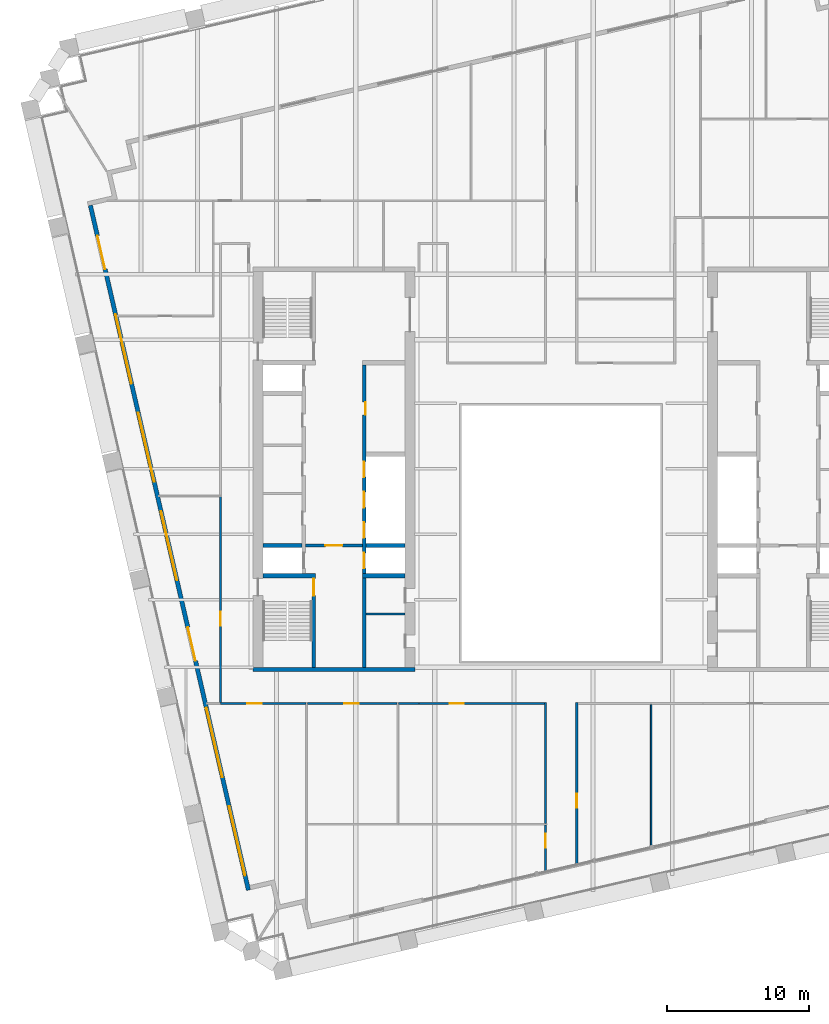
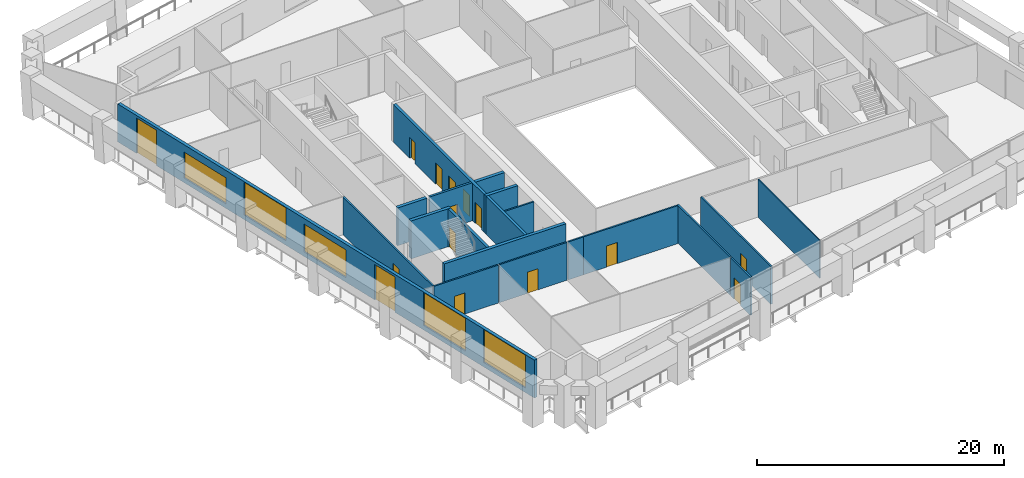
# One storey, part 7 of 14: 19 walls, 15 doors, 5 windows, 20 openings.
"""IFC4 building model written with IfcOpenShell, lengths in metres."""

from ifc_helpers import new_model, si_unit, direction, frame, frame_2d, origin, place, context, subcontext, project, spatial, rectangle, extrude, material, layer, layer_set, type_object, element, fill, save


model = new_model("IFC4")

# Units and contexts
model_context = context("Model", 3, precision=1e-05, world=origin(), true_north=direction((0.0, 1.0)))
body_context = subcontext(model_context, "Body", "Model", "MODEL_VIEW")
ifc_project = project(units=[si_unit("LENGTHUNIT", "METRE"), si_unit("AREAUNIT", "SQUARE_METRE"), si_unit("VOLUMEUNIT", "CUBIC_METRE"), si_unit("PLANEANGLEUNIT", "RADIAN"), si_unit("MASSUNIT", "GRAM", prefix="KILO")], contexts=[model_context])

# Site, building, storey
site_placement = place(None, origin())
site = spatial("IfcSite", under=ifc_project, at=site_placement, CompositionType="ELEMENT")
building_placement = place(site_placement, origin())
building = spatial("IfcBuilding", under=site, at=building_placement, Name="Ogive Exchange Tower", CompositionType="ELEMENT")
storey_placement = place(building_placement, frame((0.0, 0.0, 222.0)))
storey = spatial("IfcBuildingStorey", under=building, at=storey_placement, Name="L49", CompositionType="ELEMENT", Elevation=222.0)

# Wall
ifc_material_1 = material(Name="Gypsum board partition")
ifc_layer_1 = layer(ifc_material_1, 0.14990234375)
ifc_layer_set_1 = layer_set([ifc_layer_1], Name="Core room partition 150 gypsum")
wall_type_1 = type_object("IfcWallType", Name="Core room partition 150 gypsum", PredefinedType="PARTITIONING", material=ifc_layer_set_1)
wall_1_placement = place(storey_placement, frame((-13.75, 1.300048828125, 0.0), z_axis=(0.0, 0.0, 1.0), x_axis=(1.0, 0.0, 0.0)))
element("IfcWall", 1, at=wall_1_placement, inside=storey, type_object=wall_type_1, Name="W south room partition", PredefinedType="PARTITIONING", context=body_context, shape_type="SweptSolid", body=[
    extrude(rectangle(XDim=2.75, YDim=0.14990234375, at=frame_2d((1.375, 0.0))), origin(), (0.0, 0.0, 1.0), 3.75),
])

# Wall, opening, door
ifc_material_2 = material(Name="Fire partition EI 60 150")
ifc_layer_2 = layer(ifc_material_2, 0.14990234375)
ifc_layer_set_2 = layer_set([ifc_layer_2], Name="Fire partition EI 60 150")
wall_type_2 = type_object("IfcWallType", Name="Fire partition EI 60 150", PredefinedType="PARTITIONING", material=ifc_layer_set_2)
wall_2_placement = place(storey_placement, frame((-24.0, -4.93994140625, 0.0), z_axis=(0.0, 0.0, 1.0), x_axis=(0.0, 1.0, 0.0)))
wall_2 = element("IfcWall", 2, at=wall_2_placement, inside=storey, type_object=wall_type_2, Name="L49-PWL-007", PredefinedType="PARTITIONING", context=body_context, shape_type="SweptSolid", body=[
    extrude(rectangle(XDim=14.510009765625, YDim=0.14990234375, at=frame_2d((7.2548828125, 0.0))), origin(), (0.0, 0.0, 1.0), 3.75),
])
opening_1_placement = place(wall_2_placement, frame((5.409912109375, 0.0, 0.0)))
opening_1 = element("IfcOpeningElement", 3, at=opening_1_placement, cuts=wall_2, Name="Opening L49-I04", PredefinedType="OPENING", context=body_context, shape_type="SweptSolid", body=[
    extrude(rectangle(XDim=1.0, YDim=2.10009765625, at=frame_2d((0.5, 1.050048828125))), frame((0.0, 0.0849609375, 0.0), z_axis=(0.0, -1.0, 0.0), x_axis=(1.0, 0.0, 0.0)), (0.0, 0.0, 1.0), 0.169921875),
])
ifc_material_3 = material(Name="Fire door FD 30S 1000 x 2100")
door_type_1 = type_object("IfcDoorType", Name="Fire door FD 30S 1000 x 2100", OperationType="NOTDEFINED", PredefinedType="DOOR", material=ifc_material_3)
door_1_placement = place(opening_1_placement, origin())
door_1 = element("IfcDoor", 4, at=door_1_placement, inside=storey, type_object=door_type_1, Name="L49-IDR-004", ObjectType="DT3", OperationType="SINGLE_SWING_LEFT", OverallHeight=2.10009765625, OverallWidth=1.0, PredefinedType="DOOR", context=body_context, shape_type="SweptSolid", body=[
    extrude(rectangle(XDim=1.0, YDim=2.10009765625, at=frame_2d((0.5, 1.050048828125))), frame((0.0, 0.02490234375, 0.0), z_axis=(0.0, -1.0, 0.0), x_axis=(1.0, 0.0, 0.0)), (0.0, 0.0, 1.0), 0.050048828125),
])
fill(opening_1, door_1)

wall_3_placement = place(storey_placement, frame((-17.969970703125, -5.0, 0.0), z_axis=(0.0, 0.0, 1.0), x_axis=(-1.0, 0.0, 0.0)))
wall_3 = element("IfcWall", 5, at=wall_3_placement, inside=storey, type_object=wall_type_2, Name="L49-PWL-017", PredefinedType="PARTITIONING", context=body_context, shape_type="SweptSolid", body=[
    extrude(rectangle(XDim=6.030029296875, YDim=0.14990234375, at=frame_2d((3.01513671875, 0.0))), origin(), (0.0, 0.0, 1.0), 3.75),
])
opening_2_placement = place(wall_3_placement, frame((3.1298828125, 0.0, 0.0)))
opening_2 = element("IfcOpeningElement", 6, at=opening_2_placement, cuts=wall_3, Name="Opening L49-I12", PredefinedType="OPENING", context=body_context, shape_type="SweptSolid", body=[
    extrude(rectangle(XDim=1.0, YDim=2.10009765625, at=frame_2d((0.5, 1.050048828125))), frame((0.0, 0.0849609375, 0.0), z_axis=(0.0, -1.0, 0.0), x_axis=(1.0, 0.0, 0.0)), (0.0, 0.0, 1.0), 0.169921875),
])
door_2_placement = place(opening_2_placement, origin())
door_2 = element("IfcDoor", 7, at=door_2_placement, inside=storey, type_object=door_type_1, Name="L49-IDR-012", ObjectType="DT3", OperationType="SINGLE_SWING_LEFT", OverallHeight=2.10009765625, OverallWidth=1.0, PredefinedType="DOOR", context=body_context, shape_type="SweptSolid", body=[
    extrude(rectangle(XDim=1.0, YDim=2.10009765625, at=frame_2d((0.5, 1.050048828125))), frame((0.0, 0.02490234375, 0.0), z_axis=(0.0, -1.0, 0.0), x_axis=(1.0, 0.0, 0.0)), (0.0, 0.0, 1.0), 0.050048828125),
])
fill(opening_2, door_2)

wall_4_placement = place(storey_placement, frame((-11.550048828125, -5.0, 0.0), z_axis=(0.0, 0.0, 1.0), x_axis=(-1.0, 0.0, 0.0)))
wall_4 = element("IfcWall", 8, at=wall_4_placement, inside=storey, type_object=wall_type_2, Name="L49-PWL-022", PredefinedType="PARTITIONING", context=body_context, shape_type="SweptSolid", body=[
    extrude(rectangle(XDim=6.320068359375, YDim=0.14990234375, at=frame_2d((3.16015625, 0.0))), origin(), (0.0, 0.0, 1.0), 3.75),
])
opening_3_placement = place(wall_4_placement, frame((2.719970703125, 0.0, 0.0)))
opening_3 = element("IfcOpeningElement", 9, at=opening_3_placement, cuts=wall_4, Name="Opening L49-I11", PredefinedType="OPENING", context=body_context, shape_type="SweptSolid", body=[
    extrude(rectangle(XDim=1.0, YDim=2.10009765625, at=frame_2d((0.5, 1.050048828125))), frame((0.0, 0.0849609375, 0.0), z_axis=(0.0, -1.0, 0.0), x_axis=(1.0, 0.0, 0.0)), (0.0, 0.0, 1.0), 0.169921875),
])
door_3_placement = place(opening_3_placement, origin())
door_3 = element("IfcDoor", 10, at=door_3_placement, inside=storey, type_object=door_type_1, Name="L49-IDR-011", ObjectType="DT3", OperationType="SINGLE_SWING_LEFT", OverallHeight=2.10009765625, OverallWidth=1.0, PredefinedType="DOOR", context=body_context, shape_type="SweptSolid", body=[
    extrude(rectangle(XDim=1.0, YDim=2.10009765625, at=frame_2d((0.5, 1.050048828125))), frame((0.0, 0.02490234375, 0.0), z_axis=(0.0, -1.0, 0.0), x_axis=(1.0, 0.0, 0.0)), (0.0, 0.0, 1.0), 0.050048828125),
])
fill(opening_3, door_3)

# Wall
wall_5_placement = place(storey_placement, frame((-10.0, -5.0, 0.0), z_axis=(0.0, 0.0, 1.0), x_axis=(-1.0, 0.0, 0.0)))
element("IfcWall", 11, at=wall_5_placement, inside=storey, type_object=wall_type_2, Name="L49-PWL-023", PredefinedType="PARTITIONING", context=body_context, shape_type="SweptSolid", body=[
    extrude(rectangle(XDim=1.449951171875, YDim=0.14990234375, at=frame_2d((0.72509765625, 0.0))), origin(), (0.0, 0.0, 1.0), 3.75),
])

# Wall, opening, door
wall_6_placement = place(storey_placement, frame((-1.10009765625, -16.778076171875, 0.0), z_axis=(0.0, 0.0, 1.0), x_axis=(0.0, 1.0, 0.0)))
wall_6 = element("IfcWall", 12, at=wall_6_placement, inside=storey, type_object=wall_type_2, Name="L49-PWL-030", PredefinedType="PARTITIONING", context=body_context, shape_type="SweptSolid", body=[
    extrude(rectangle(XDim=3.22802734375, YDim=0.14990234375, at=frame_2d((1.614013671875, 0.0))), origin(), (0.0, 0.0, 1.0), 3.75),
])
opening_4_placement = place(wall_6_placement, frame((1.6279296875, 0.0, 0.0)))
opening_4 = element("IfcOpeningElement", 13, at=opening_4_placement, cuts=wall_6, Name="Opening L49-I09", PredefinedType="OPENING", context=body_context, shape_type="SweptSolid", body=[
    extrude(rectangle(XDim=1.0, YDim=2.10009765625, at=frame_2d((0.5, 1.050048828125))), frame((0.0, 0.0849609375, 0.0), z_axis=(0.0, -1.0, 0.0), x_axis=(1.0, 0.0, 0.0)), (0.0, 0.0, 1.0), 0.169921875),
])
door_4_placement = place(opening_4_placement, origin())
door_4 = element("IfcDoor", 14, at=door_4_placement, inside=storey, type_object=door_type_1, Name="L49-IDR-009", ObjectType="DT3", OperationType="SINGLE_SWING_LEFT", OverallHeight=2.10009765625, OverallWidth=1.0, PredefinedType="DOOR", context=body_context, shape_type="SweptSolid", body=[
    extrude(rectangle(XDim=1.0, YDim=2.10009765625, at=frame_2d((0.5, 1.050048828125))), frame((0.0, 0.02490234375, 0.0), z_axis=(0.0, -1.0, 0.0), x_axis=(1.0, 0.0, 0.0)), (0.0, 0.0, 1.0), 0.050048828125),
])
fill(opening_4, door_4)

# Wall
wall_7_placement = place(storey_placement, frame((-1.10009765625, -13.449951171875, 0.0), z_axis=(0.0, 0.0, 1.0), x_axis=(0.0, 1.0, 0.0)))
element("IfcWall", 15, at=wall_7_placement, inside=storey, type_object=wall_type_2, Name="L49-PWL-031", PredefinedType="PARTITIONING", context=body_context, shape_type="SweptSolid", body=[
    extrude(rectangle(XDim=8.52490234375, YDim=0.14990234375, at=frame_2d((4.262451171875, 0.0))), origin(), (0.0, 0.0, 1.0), 3.75),
])

# Wall, opening, door
wall_8_placement = place(storey_placement, frame((-1.175048828125, -5.0, 0.0), z_axis=(0.0, 0.0, 1.0), x_axis=(-1.0, 0.0, 0.0)))
wall_8 = element("IfcWall", 16, at=wall_8_placement, inside=storey, type_object=wall_type_2, Name="L49-PWL-032", PredefinedType="PARTITIONING", context=body_context, shape_type="SweptSolid", body=[
    extrude(rectangle(XDim=8.824951171875, YDim=0.14990234375, at=frame_2d((4.41259765625, 0.0))), origin(), (0.0, 0.0, 1.0), 3.75),
])
opening_5_placement = place(wall_8_placement, frame((5.675048828125, 0.0, 0.0)))
opening_5 = element("IfcOpeningElement", 17, at=opening_5_placement, cuts=wall_8, Name="Opening L49-I10", PredefinedType="OPENING", context=body_context, shape_type="SweptSolid", body=[
    extrude(rectangle(XDim=1.0, YDim=2.10009765625, at=frame_2d((0.5, 1.050048828125))), frame((0.0, 0.0849609375, 0.0), z_axis=(0.0, -1.0, 0.0), x_axis=(1.0, 0.0, 0.0)), (0.0, 0.0, 1.0), 0.169921875),
])
door_5_placement = place(opening_5_placement, origin())
door_5 = element("IfcDoor", 18, at=door_5_placement, inside=storey, type_object=door_type_1, Name="L49-IDR-010", ObjectType="DT3", OperationType="SINGLE_SWING_LEFT", OverallHeight=2.10009765625, OverallWidth=1.0, PredefinedType="DOOR", context=body_context, shape_type="SweptSolid", body=[
    extrude(rectangle(XDim=1.0, YDim=2.10009765625, at=frame_2d((0.5, 1.050048828125))), frame((0.0, 0.02490234375, 0.0), z_axis=(0.0, -1.0, 0.0), x_axis=(1.0, 0.0, 0.0)), (0.0, 0.0, 1.0), 0.050048828125),
])
fill(opening_5, door_5)

wall_9_placement = place(storey_placement, frame((1.10009765625, -4.925048828125, 0.0), z_axis=(0.0, 0.0, 1.0), x_axis=(0.0, -1.0, 0.0)))
wall_9 = element("IfcWall", 19, at=wall_9_placement, inside=storey, type_object=wall_type_2, Name="L49-PWL-036", PredefinedType="PARTITIONING", context=body_context, shape_type="SweptSolid", body=[
    extrude(rectangle(XDim=11.344970703125, YDim=0.14990234375, at=frame_2d((5.67236328125, 0.0))), origin(), (0.0, 0.0, 1.0), 3.75),
])
opening_6_placement = place(wall_9_placement, frame((6.425048828125, 0.0, 0.0)))
opening_6 = element("IfcOpeningElement", 20, at=opening_6_placement, cuts=wall_9, Name="Opening L49-I17", PredefinedType="OPENING", context=body_context, shape_type="SweptSolid", body=[
    extrude(rectangle(XDim=1.0, YDim=2.10009765625, at=frame_2d((0.5, 1.050048828125))), frame((0.0, 0.0849609375, 0.0), z_axis=(0.0, -1.0, 0.0), x_axis=(1.0, 0.0, 0.0)), (0.0, 0.0, 1.0), 0.169921875),
])
door_6_placement = place(opening_6_placement, origin())
door_6 = element("IfcDoor", 21, at=door_6_placement, inside=storey, type_object=door_type_1, Name="L49-IDR-017", ObjectType="DT3", OperationType="SINGLE_SWING_RIGHT", OverallHeight=2.10009765625, OverallWidth=1.0, PredefinedType="DOOR", context=body_context, shape_type="SweptSolid", body=[
    extrude(rectangle(XDim=1.0, YDim=2.10009765625, at=frame_2d((0.5, 1.050048828125))), frame((0.0, 0.02490234375, 0.0), z_axis=(0.0, -1.0, 0.0), x_axis=(1.0, 0.0, 0.0)), (0.0, 0.0, 1.0), 0.050048828125),
])
fill(opening_6, door_6)

# Wall, openings, windows, doors
ifc_material_4 = material(Name="Precast concrete C40/50", Category="concrete")
ifc_layer_3 = layer(ifc_material_4, 0.300048828125)
ifc_layer_set_3 = layer_set([ifc_layer_3], Name="Limestone-faced wall 300")
wall_type_3 = type_object("IfcWallType", Name="Limestone-faced wall 300", PredefinedType="STANDARD", material=ifc_layer_set_3)
wall_10_placement = place(storey_placement, frame((-33.1572265625, 30.092041015625, 0.0), z_axis=(0.0, 0.0, 1.0), x_axis=(0.224950279389, -0.974370243697, 0.0)))
wall_10 = element("IfcWall", 22, at=wall_10_placement, inside=storey, type_object=wall_type_3, Name="External wall W5", PredefinedType="STANDARD", context=body_context, shape_type="SweptSolid", body=[
    extrude(rectangle(XDim=49.499755859375, YDim=0.300048828125, at=frame_2d((24.75, 0.0))), origin(), (0.0, 0.0, 1.0), 3.75),
])
opening_7_placement = place(wall_10_placement, frame((2.20703125, 0.0, 0.0)))
opening_7 = element("IfcOpeningElement", 23, at=opening_7_placement, cuts=wall_10, Name="Opening D1", PredefinedType="OPENING", context=body_context, shape_type="SweptSolid", body=[
    extrude(rectangle(XDim=2.39990234375, YDim=3.5, at=frame_2d((1.199951171875, 1.75))), frame((0.0, 0.159912109375, 0.0), z_axis=(0.0, -1.0, 0.0), x_axis=(1.0, 0.0, 0.0)), (0.0, 0.0, 1.0), 0.320068359375),
])
opening_8_placement = place(wall_10_placement, frame((7.871337890625, 0.0, 0.449951171875)))
opening_8 = element("IfcOpeningElement", 24, at=opening_8_placement, cuts=wall_10, Name="Opening W2K", PredefinedType="OPENING", context=body_context, shape_type="SweptSolid", body=[
    extrude(rectangle(XDim=5.0, YDim=2.574951171875, at=frame_2d((2.5, 1.28759765625))), frame((0.0, 0.159912109375, 0.0), z_axis=(0.0, -1.0, 0.0), x_axis=(1.0, 0.0, 0.0)), (0.0, 0.0, 1.0), 0.320068359375),
])
opening_9_placement = place(wall_10_placement, frame((14.985595703125, 0.0, 0.449951171875)))
opening_9 = element("IfcOpeningElement", 25, at=opening_9_placement, cuts=wall_10, Name="Opening W2", PredefinedType="OPENING", context=body_context, shape_type="SweptSolid", body=[
    extrude(rectangle(XDim=5.0, YDim=3.25, at=frame_2d((2.5, 1.625))), frame((0.0, 0.159912109375, 0.0), z_axis=(0.0, -1.0, 0.0), x_axis=(1.0, 0.0, 0.0)), (0.0, 0.0, 1.0), 0.320068359375),
])
opening_10_placement = place(wall_10_placement, frame((22.10009765625, 0.0, 0.449951171875)))
opening_10 = element("IfcOpeningElement", 26, at=opening_10_placement, cuts=wall_10, Name="Opening W2F", PredefinedType="OPENING", context=body_context, shape_type="SweptSolid", body=[
    extrude(rectangle(XDim=5.0, YDim=2.75, at=frame_2d((2.5, 1.375))), frame((0.0, 0.159912109375, 0.0), z_axis=(0.0, -1.0, 0.0), x_axis=(1.0, 0.0, 0.0)), (0.0, 0.0, 1.0), 0.320068359375),
])
opening_11_placement = place(wall_10_placement, frame((30.51416015625, 0.0, 0.0)))
opening_11 = element("IfcOpeningElement", 27, at=opening_11_placement, cuts=wall_10, Name="Opening D1", PredefinedType="OPENING", context=body_context, shape_type="SweptSolid", body=[
    extrude(rectangle(XDim=2.39990234375, YDim=3.5, at=frame_2d((1.199951171875, 1.75))), frame((0.0, 0.159912109375, 0.0), z_axis=(0.0, -1.0, 0.0), x_axis=(1.0, 0.0, 0.0)), (0.0, 0.0, 1.0), 0.320068359375),
])
opening_12_placement = place(wall_10_placement, frame((36.32861328125, 0.0, 0.449951171875)))
opening_12 = element("IfcOpeningElement", 28, at=opening_12_placement, cuts=wall_10, Name="Opening W2", PredefinedType="OPENING", context=body_context, shape_type="SweptSolid", body=[
    extrude(rectangle(XDim=5.0, YDim=3.25, at=frame_2d((2.5, 1.625))), frame((0.0, 0.159912109375, 0.0), z_axis=(0.0, -1.0, 0.0), x_axis=(1.0, 0.0, 0.0)), (0.0, 0.0, 1.0), 0.320068359375),
])
opening_13_placement = place(wall_10_placement, frame((43.44287109375, 0.0, 0.449951171875)))
opening_13 = element("IfcOpeningElement", 29, at=opening_13_placement, cuts=wall_10, Name="Opening W2", PredefinedType="OPENING", context=body_context, shape_type="SweptSolid", body=[
    extrude(rectangle(XDim=5.0, YDim=3.25, at=frame_2d((2.5, 1.625))), frame((0.0, 0.159912109375, 0.0), z_axis=(0.0, -1.0, 0.0), x_axis=(1.0, 0.0, 0.0)), (0.0, 0.0, 1.0), 0.320068359375),
])
ifc_material_5 = material(Name="Clear glass in bronze frame", Category="glass")
window_type_1 = type_object("IfcWindowType", Name="Executive lancet window 5000 x 2575", PartitioningType="DOUBLE_PANEL_VERTICAL", PredefinedType="WINDOW", material=ifc_material_5)
window_1_placement = place(opening_8_placement, origin())
window_1 = element("IfcWindow", 30, at=window_1_placement, inside=storey, type_object=window_type_1, Name="Window W01", OverallHeight=2.574951171875, OverallWidth=5.0, PartitioningType="DOUBLE_PANEL_VERTICAL", PredefinedType="WINDOW", context=body_context, shape_type="SweptSolid", body=[
    extrude(rectangle(XDim=5.0, YDim=2.574951171875, at=frame_2d((2.5, 1.28759765625))), frame((0.0, 0.030029296875, 0.0), z_axis=(0.0, -1.0, 0.0), x_axis=(1.0, 0.0, 0.0)), (0.0, 0.0, 1.0), 0.06005859375),
])
fill(opening_8, window_1)
window_type_2 = type_object("IfcWindowType", Name="Executive lancet window 5000 x 2750", PartitioningType="DOUBLE_PANEL_VERTICAL", PredefinedType="WINDOW", material=ifc_material_5)
window_2_placement = place(opening_10_placement, origin())
window_2 = element("IfcWindow", 31, at=window_2_placement, inside=storey, type_object=window_type_2, Name="Window W03", OverallHeight=2.75, OverallWidth=5.0, PartitioningType="DOUBLE_PANEL_VERTICAL", PredefinedType="WINDOW", context=body_context, shape_type="SweptSolid", body=[
    extrude(rectangle(XDim=5.0, YDim=2.75, at=frame_2d((2.5, 1.375))), frame((0.0, 0.030029296875, 0.0), z_axis=(0.0, -1.0, 0.0), x_axis=(1.0, 0.0, 0.0)), (0.0, 0.0, 1.0), 0.06005859375),
])
fill(opening_10, window_2)
window_type_3 = type_object("IfcWindowType", Name="Executive lancet window 5000 x 3250", PartitioningType="DOUBLE_PANEL_VERTICAL", PredefinedType="WINDOW", material=ifc_material_5)
window_3_placement = place(opening_9_placement, origin())
window_3 = element("IfcWindow", 32, at=window_3_placement, inside=storey, type_object=window_type_3, Name="Window W02", OverallHeight=3.25, OverallWidth=5.0, PartitioningType="DOUBLE_PANEL_VERTICAL", PredefinedType="WINDOW", context=body_context, shape_type="SweptSolid", body=[
    extrude(rectangle(XDim=5.0, YDim=3.25, at=frame_2d((2.5, 1.625))), frame((0.0, 0.030029296875, 0.0), z_axis=(0.0, -1.0, 0.0), x_axis=(1.0, 0.0, 0.0)), (0.0, 0.0, 1.0), 0.06005859375),
])
fill(opening_9, window_3)
window_4_placement = place(opening_12_placement, origin())
window_4 = element("IfcWindow", 33, at=window_4_placement, inside=storey, type_object=window_type_3, Name="Window W05", OverallHeight=3.25, OverallWidth=5.0, PartitioningType="DOUBLE_PANEL_VERTICAL", PredefinedType="WINDOW", context=body_context, shape_type="SweptSolid", body=[
    extrude(rectangle(XDim=5.0, YDim=3.25, at=frame_2d((2.5, 1.625))), frame((0.0, 0.030029296875, 0.0), z_axis=(0.0, -1.0, 0.0), x_axis=(1.0, 0.0, 0.0)), (0.0, 0.0, 1.0), 0.06005859375),
])
fill(opening_12, window_4)
window_5_placement = place(opening_13_placement, origin())
window_5 = element("IfcWindow", 34, at=window_5_placement, inside=storey, type_object=window_type_3, Name="Window W06", OverallHeight=3.25, OverallWidth=5.0, PartitioningType="DOUBLE_PANEL_VERTICAL", PredefinedType="WINDOW", context=body_context, shape_type="SweptSolid", body=[
    extrude(rectangle(XDim=5.0, YDim=3.25, at=frame_2d((2.5, 1.625))), frame((0.0, 0.030029296875, 0.0), z_axis=(0.0, -1.0, 0.0), x_axis=(1.0, 0.0, 0.0)), (0.0, 0.0, 1.0), 0.06005859375),
])
fill(opening_13, window_5)
door_type_2 = type_object("IfcDoorType", Name="Sliding loggia door 2400 x 3500", OperationType="DOUBLE_DOOR_SLIDING", PredefinedType="DOOR", material=ifc_material_5)
door_7_placement = place(opening_7_placement, origin())
door_7 = element("IfcDoor", 35, at=door_7_placement, inside=storey, type_object=door_type_2, Name="Loggia door W00", OperationType="DOUBLE_DOOR_SLIDING", OverallHeight=3.5, OverallWidth=2.39990234375, PredefinedType="DOOR", context=body_context, shape_type="SweptSolid", body=[
    extrude(rectangle(XDim=2.39990234375, YDim=3.5, at=frame_2d((1.199951171875, 1.75))), frame((0.0, 0.02490234375, 0.0), z_axis=(0.0, -1.0, 0.0), x_axis=(1.0, 0.0, 0.0)), (0.0, 0.0, 1.0), 0.050048828125),
])
fill(opening_7, door_7)
door_8_placement = place(opening_11_placement, origin())
door_8 = element("IfcDoor", 36, at=door_8_placement, inside=storey, type_object=door_type_2, Name="Loggia door W04", OperationType="DOUBLE_DOOR_SLIDING", OverallHeight=3.5, OverallWidth=2.39990234375, PredefinedType="DOOR", context=body_context, shape_type="SweptSolid", body=[
    extrude(rectangle(XDim=2.39990234375, YDim=3.5, at=frame_2d((1.199951171875, 1.75))), frame((0.0, 0.02490234375, 0.0), z_axis=(0.0, -1.0, 0.0), x_axis=(1.0, 0.0, 0.0)), (0.0, 0.0, 1.0), 0.050048828125),
])
fill(opening_11, door_8)

# Wall
ifc_material_6 = material(Name="Partition 100 gypsum")
ifc_layer_4 = layer(ifc_material_6, 0.10009765625)
ifc_layer_set_4 = layer_set([ifc_layer_4], Name="Partition 100 gypsum")
wall_type_4 = type_object("IfcWallType", Name="Partition 100 gypsum", PredefinedType="PARTITIONING", material=ifc_layer_set_4)
wall_11_placement = place(storey_placement, frame((6.340087890625, -5.074951171875, 0.0), z_axis=(0.0, 0.0, 1.0), x_axis=(0.0, -1.0, 0.0)))
element("IfcWall", 37, at=wall_11_placement, inside=storey, type_object=wall_type_4, Name="L49-PWL-042", PredefinedType="PARTITIONING", context=body_context, shape_type="SweptSolid", body=[
    extrude(rectangle(XDim=9.986083984375, YDim=0.10009765625, at=frame_2d((4.9931640625, 0.0))), origin(), (0.0, 0.0, 1.0), 3.75),
])

# Wall, opening, door
ifc_material_7 = material(Name="Concrete C70/85", Category="concrete")
ifc_layer_5 = layer(ifc_material_7, 0.199951171875)
ifc_layer_set_5 = layer_set([ifc_layer_5], Name="RC core wall 200 C70/85")
wall_type_5 = type_object("IfcWallType", Name="RC core wall 200 C70/85", PredefinedType="SHEAR", material=ifc_layer_set_5)
wall_12_placement = place(storey_placement, frame((-18.0, 6.142822265625, 0.0), z_axis=(0.0, 0.0, 1.0), x_axis=(1.0, 0.0, 0.0)))
wall_12 = element("IfcWall", 38, at=wall_12_placement, inside=storey, type_object=wall_type_5, Name="W firefighting lobby wall", PredefinedType="SHEAR", context=body_context, shape_type="SweptSolid", body=[
    extrude(rectangle(XDim=4.0, YDim=0.199951171875, at=frame_2d((2.0, 0.0))), origin(), (0.0, 0.0, 1.0), 3.75),
])
opening_14_placement = place(wall_12_placement, frame((1.39990234375, 0.0, 0.0)))
opening_14 = element("IfcOpeningElement", 39, at=opening_14_placement, cuts=wall_12, Name="Opening L49-C11", PredefinedType="OPENING", context=body_context, shape_type="SweptSolid", body=[
    extrude(rectangle(XDim=1.199951171875, YDim=2.10009765625, at=frame_2d((0.60009765625, 1.050048828125))), frame((0.0, 0.10986328125, 0.0), z_axis=(0.0, -1.0, 0.0), x_axis=(1.0, 0.0, 0.0)), (0.0, 0.0, 1.0), 0.219970703125),
])
ifc_material_8 = material(Name="Steel fire door", Category="steel")
door_type_3 = type_object("IfcDoorType", Name="Firefighting lobby door FD60 1200 x 2100", OperationType="NOTDEFINED", PredefinedType="DOOR", material=ifc_material_8)
door_9_placement = place(opening_14_placement, frame((1.199951171875, 0.0, 0.0), z_axis=(0.0, 0.0, 1.0), x_axis=(-1.0, 0.0, 0.0)))
door_9 = element("IfcDoor", 40, at=door_9_placement, inside=storey, type_object=door_type_3, Name="Firefighting lobby door", ObjectType="CD3", OperationType="SINGLE_SWING_RIGHT", OverallHeight=2.10009765625, OverallWidth=1.199951171875, PredefinedType="DOOR", context=body_context, shape_type="SweptSolid", body=[
    extrude(rectangle(XDim=1.199951171875, YDim=2.10009765625, at=frame_2d((0.60009765625, 1.050048828125))), frame((0.0, 0.02490234375, 0.0), z_axis=(0.0, -1.0, 0.0), x_axis=(1.0, 0.0, 0.0)), (0.0, 0.0, 1.0), 0.050048828125),
])
fill(opening_14, door_9)

ifc_layer_6 = layer(ifc_material_7, 0.25)
ifc_layer_set_6 = layer_set([ifc_layer_6], Name="RC core wall 250 C70/85")
wall_type_6 = type_object("IfcWallType", Name="RC core wall 250 C70/85", PredefinedType="SHEAR", material=ifc_layer_set_6)
wall_13_placement = place(storey_placement, frame((-17.425048828125, -2.449951171875, 0.0), z_axis=(0.0, 0.0, 1.0), x_axis=(0.0, 1.0, 0.0)))
wall_13 = element("IfcWall", 41, at=wall_13_placement, inside=storey, type_object=wall_type_6, Name="W stair S front wall", PredefinedType="SHEAR", context=body_context, shape_type="SweptSolid", body=[
    extrude(rectangle(XDim=6.300048828125, YDim=0.25, at=frame_2d((3.14990234375, 0.0))), origin(), (0.0, 0.0, 1.0), 3.75),
])
opening_15_placement = place(wall_13_placement, frame((5.050048828125, 0.0, 0.0)))
opening_15 = element("IfcOpeningElement", 42, at=opening_15_placement, cuts=wall_13, Name="Opening L49-C13", PredefinedType="OPENING", context=body_context, shape_type="SweptSolid", body=[
    extrude(rectangle(XDim=1.199951171875, YDim=2.10009765625, at=frame_2d((0.60009765625, 1.050048828125))), frame((0.0, 0.135009765625, 0.0), z_axis=(0.0, -1.0, 0.0), x_axis=(1.0, 0.0, 0.0)), (0.0, 0.0, 1.0), 0.27001953125),
])
door_type_4 = type_object("IfcDoorType", Name="Stair door FD90 1200 x 2100", OperationType="NOTDEFINED", PredefinedType="DOOR", material=ifc_material_8)
door_10_placement = place(opening_15_placement, origin())
door_10 = element("IfcDoor", 43, at=door_10_placement, inside=storey, type_object=door_type_4, Name="Stair door", ObjectType="CD5", OperationType="SINGLE_SWING_LEFT", OverallHeight=2.10009765625, OverallWidth=1.199951171875, PredefinedType="DOOR", context=body_context, shape_type="SweptSolid", body=[
    extrude(rectangle(XDim=1.199951171875, YDim=2.10009765625, at=frame_2d((0.60009765625, 1.050048828125))), frame((0.0, 0.02490234375, 0.0), z_axis=(0.0, -1.0, 0.0), x_axis=(1.0, 0.0, 0.0)), (0.0, 0.0, 1.0), 0.050048828125),
])
fill(opening_15, door_10)

# Wall, openings, doors
wall_14_placement = place(storey_placement, frame((-13.875, -2.449951171875, 0.0), z_axis=(0.0, 0.0, 1.0), x_axis=(0.0, 1.0, 0.0)))
wall_14 = element("IfcWall", 44, at=wall_14_placement, inside=storey, type_object=wall_type_6, Name="W row B front wall", PredefinedType="SHEAR", context=body_context, shape_type="SweptSolid", body=[
    extrude(rectangle(XDim=21.300048828125, YDim=0.25, at=frame_2d((10.64990234375, 0.0))), origin(), (0.0, 0.0, 1.0), 3.75),
])
opening_16_placement = place(wall_14_placement, frame((17.78564453125, 0.0, 0.0)))
opening_16 = element("IfcOpeningElement", 45, at=opening_16_placement, cuts=wall_14, Name="Opening L49-C06", PredefinedType="OPENING", context=body_context, shape_type="SweptSolid", body=[
    extrude(rectangle(XDim=0.89990234375, YDim=2.10009765625, at=frame_2d((0.449951171875, 1.050048828125))), frame((0.0, 0.135009765625, 0.0), z_axis=(0.0, -1.0, 0.0), x_axis=(1.0, 0.0, 0.0)), (0.0, 0.0, 1.0), 0.27001953125),
])
opening_17_placement = place(wall_14_placement, frame((6.971435546875, 0.0, 0.0)))
opening_17 = element("IfcOpeningElement", 46, at=opening_17_placement, cuts=wall_14, Name="Opening L49-C07", PredefinedType="OPENING", context=body_context, shape_type="SweptSolid", body=[
    extrude(rectangle(XDim=1.10009765625, YDim=2.10009765625, at=frame_2d((0.550048828125, 1.050048828125))), frame((0.0, 0.135009765625, 0.0), z_axis=(0.0, -1.0, 0.0), x_axis=(1.0, 0.0, 0.0)), (0.0, 0.0, 1.0), 0.27001953125),
])
opening_18_placement = place(wall_14_placement, frame((9.1142578125, 0.0, 0.0)))
opening_18 = element("IfcOpeningElement", 47, at=opening_18_placement, cuts=wall_14, Name="Opening L49-C08", PredefinedType="OPENING", context=body_context, shape_type="SweptSolid", body=[
    extrude(rectangle(XDim=1.10009765625, YDim=2.10009765625, at=frame_2d((0.550048828125, 1.050048828125))), frame((0.0, 0.135009765625, 0.0), z_axis=(0.0, -1.0, 0.0), x_axis=(1.0, 0.0, 0.0)), (0.0, 0.0, 1.0), 0.27001953125),
])
opening_19_placement = place(wall_14_placement, frame((11.257080078125, 0.0, 0.0)))
opening_19 = element("IfcOpeningElement", 48, at=opening_19_placement, cuts=wall_14, Name="Opening L49-C09", PredefinedType="OPENING", context=body_context, shape_type="SweptSolid", body=[
    extrude(rectangle(XDim=1.10009765625, YDim=2.10009765625, at=frame_2d((0.550048828125, 1.050048828125))), frame((0.0, 0.135009765625, 0.0), z_axis=(0.0, -1.0, 0.0), x_axis=(1.0, 0.0, 0.0)), (0.0, 0.0, 1.0), 0.27001953125),
])
opening_20_placement = place(wall_14_placement, frame((13.39990234375, 0.0, 0.0)))
opening_20 = element("IfcOpeningElement", 49, at=opening_20_placement, cuts=wall_14, Name="Opening L49-C10", PredefinedType="OPENING", context=body_context, shape_type="SweptSolid", body=[
    extrude(rectangle(XDim=1.10009765625, YDim=2.10009765625, at=frame_2d((0.550048828125, 1.050048828125))), frame((0.0, 0.135009765625, 0.0), z_axis=(0.0, -1.0, 0.0), x_axis=(1.0, 0.0, 0.0)), (0.0, 0.0, 1.0), 0.27001953125),
])
ifc_material_9 = material(Name="Stainless steel", Category="steel")
door_type_5 = type_object("IfcDoorType", Name="Lift landing door FD90 1100 x 2100", OperationType="SLIDING_TO_LEFT", PredefinedType="DOOR", material=ifc_material_9)
door_11_placement = place(opening_17_placement, origin())
door_11 = element("IfcDoor", 50, at=door_11_placement, inside=storey, type_object=door_type_5, Name="Lift landing door SV1", ObjectType="LD", OperationType="SLIDING_TO_LEFT", OverallHeight=2.10009765625, OverallWidth=1.10009765625, PredefinedType="DOOR", context=body_context, shape_type="SweptSolid", body=[
    extrude(rectangle(XDim=1.10009765625, YDim=2.10009765625, at=frame_2d((0.550048828125, 1.050048828125))), frame((0.0, 0.02490234375, 0.0), z_axis=(0.0, -1.0, 0.0), x_axis=(1.0, 0.0, 0.0)), (0.0, 0.0, 1.0), 0.050048828125),
])
fill(opening_17, door_11)
door_12_placement = place(opening_18_placement, origin())
door_12 = element("IfcDoor", 51, at=door_12_placement, inside=storey, type_object=door_type_5, Name="Lift landing door W-M1", ObjectType="LD", OperationType="SLIDING_TO_LEFT", OverallHeight=2.10009765625, OverallWidth=1.10009765625, PredefinedType="DOOR", context=body_context, shape_type="SweptSolid", body=[
    extrude(rectangle(XDim=1.10009765625, YDim=2.10009765625, at=frame_2d((0.550048828125, 1.050048828125))), frame((0.0, 0.02490234375, 0.0), z_axis=(0.0, -1.0, 0.0), x_axis=(1.0, 0.0, 0.0)), (0.0, 0.0, 1.0), 0.050048828125),
])
fill(opening_18, door_12)
door_13_placement = place(opening_19_placement, origin())
door_13 = element("IfcDoor", 52, at=door_13_placement, inside=storey, type_object=door_type_5, Name="Lift landing door W-M2", ObjectType="LD", OperationType="SLIDING_TO_LEFT", OverallHeight=2.10009765625, OverallWidth=1.10009765625, PredefinedType="DOOR", context=body_context, shape_type="SweptSolid", body=[
    extrude(rectangle(XDim=1.10009765625, YDim=2.10009765625, at=frame_2d((0.550048828125, 1.050048828125))), frame((0.0, 0.02490234375, 0.0), z_axis=(0.0, -1.0, 0.0), x_axis=(1.0, 0.0, 0.0)), (0.0, 0.0, 1.0), 0.050048828125),
])
fill(opening_19, door_13)
door_14_placement = place(opening_20_placement, origin())
door_14 = element("IfcDoor", 53, at=door_14_placement, inside=storey, type_object=door_type_5, Name="Lift landing door W-M3", ObjectType="LD", OperationType="SLIDING_TO_LEFT", OverallHeight=2.10009765625, OverallWidth=1.10009765625, PredefinedType="DOOR", context=body_context, shape_type="SweptSolid", body=[
    extrude(rectangle(XDim=1.10009765625, YDim=2.10009765625, at=frame_2d((0.550048828125, 1.050048828125))), frame((0.0, 0.02490234375, 0.0), z_axis=(0.0, -1.0, 0.0), x_axis=(1.0, 0.0, 0.0)), (0.0, 0.0, 1.0), 0.050048828125),
])
fill(opening_20, door_14)
door_type_6 = type_object("IfcDoorType", Name="Riser door FD60 900 x 2100", OperationType="NOTDEFINED", PredefinedType="DOOR", material=ifc_material_8)
door_15_placement = place(opening_16_placement, frame((0.89990234375, -0.2001953125, 0.0), z_axis=(0.0, 0.0, 1.0), x_axis=(-1.0, 0.0, 0.0)))
door_15 = element("IfcDoor", 54, at=door_15_placement, inside=storey, type_object=door_type_6, Name="Riser door", ObjectType="CD2", OperationType="SINGLE_SWING_RIGHT", OverallHeight=2.10009765625, OverallWidth=0.89990234375, PredefinedType="DOOR", context=body_context, shape_type="SweptSolid", body=[
    extrude(rectangle(XDim=0.89990234375, YDim=2.10009765625, at=frame_2d((0.449951171875, 1.050048828125))), frame((0.0, -0.0751953125, 0.0), z_axis=(0.0, -1.0, 0.0), x_axis=(1.0, 0.0, 0.0)), (0.0, 0.0, 1.0), 0.050048828125),
])
fill(opening_16, door_15)

# Walls
ifc_layer_7 = layer(ifc_material_7, 0.300048828125)
ifc_layer_set_7 = layer_set([ifc_layer_7], Name="RC core wall 300 C70/85")
wall_type_7 = type_object("IfcWallType", Name="RC core wall 300 C70/85", PredefinedType="SHEAR", material=ifc_layer_set_7)
wall_15_placement = place(storey_placement, frame((-21.699951171875, -2.60009765625, 0.0), z_axis=(0.0, 0.0, 1.0), x_axis=(1.0, 0.0, 0.0)))
element("IfcWall", 55, at=wall_15_placement, inside=storey, type_object=wall_type_7, Name="W south end wall", PredefinedType="SHEAR", context=body_context, shape_type="SweptSolid", body=[
    extrude(rectangle(XDim=11.39990234375, YDim=0.300048828125, at=frame_2d((5.699951171875, 0.0))), origin(), (0.0, 0.0, 1.0), 3.75),
])
wall_16_placement = place(storey_placement, frame((-21.0, 4.0, 0.0), z_axis=(0.0, 0.0, 1.0), x_axis=(1.0, 0.0, 0.0)))
element("IfcWall", 56, at=wall_16_placement, inside=storey, type_object=wall_type_7, Name="W stair S north wall", PredefinedType="SHEAR", context=body_context, shape_type="SweptSolid", body=[
    extrude(rectangle(XDim=3.699951171875, YDim=0.300048828125, at=frame_2d((1.85009765625, 0.0))), origin(), (0.0, 0.0, 1.0), 3.75),
])
wall_17_placement = place(storey_placement, frame((-21.0, 6.142822265625, 0.0), z_axis=(0.0, 0.0, 1.0), x_axis=(1.0, 0.0, 0.0)))
element("IfcWall", 57, at=wall_17_placement, inside=storey, type_object=wall_type_7, Name="W row A divider 1", PredefinedType="SHEAR", context=body_context, shape_type="SweptSolid", body=[
    extrude(rectangle(XDim=2.75, YDim=0.300048828125, at=frame_2d((1.375, 0.0))), origin(), (0.0, 0.0, 1.0), 3.75),
])
wall_18_placement = place(storey_placement, frame((-14.0, 4.0, 0.0), z_axis=(0.0, 0.0, 1.0), x_axis=(1.0, 0.0, 0.0)))
element("IfcWall", 58, at=wall_18_placement, inside=storey, type_object=wall_type_7, Name="W row B divider 0", PredefinedType="SHEAR", context=body_context, shape_type="SweptSolid", body=[
    extrude(rectangle(XDim=3.0, YDim=0.300048828125, at=frame_2d((1.5, 0.0))), origin(), (0.0, 0.0, 1.0), 3.75),
])
wall_19_placement = place(storey_placement, frame((-13.75, 6.142822265625, 0.0), z_axis=(0.0, 0.0, 1.0), x_axis=(1.0, 0.0, 0.0)))
element("IfcWall", 59, at=wall_19_placement, inside=storey, type_object=wall_type_7, Name="W row B divider 1", PredefinedType="SHEAR", context=body_context, shape_type="SweptSolid", body=[
    extrude(rectangle(XDim=2.75, YDim=0.300048828125, at=frame_2d((1.375, 0.0))), origin(), (0.0, 0.0, 1.0), 3.75),
])

save(model, "model.ifc")
